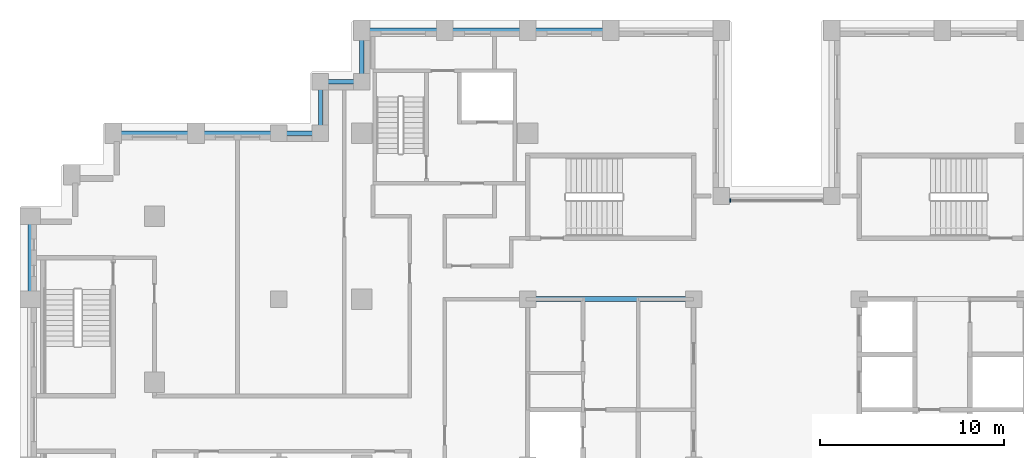
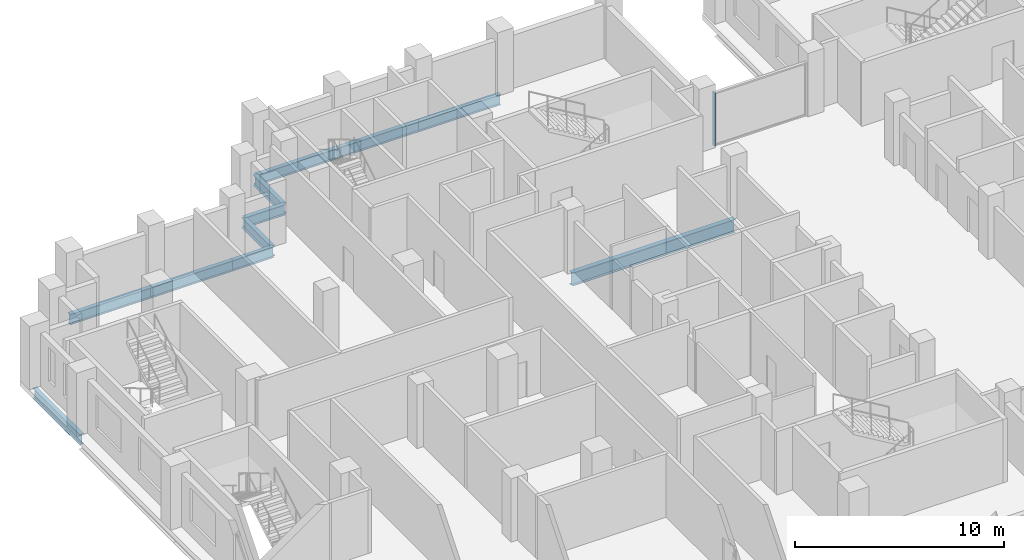
# One storey, part 3 of 16: 11 beams, 1 member, 1 element without a shape of its own.
"""IFC4 building model written with IfcOpenShell, lengths in metres."""

from ifc_helpers import new_model, si_unit, direction, frame, origin, origin_2d, place, context, subcontext, project, spatial, rectangle, i_section, extrude, material, layer, layer_set, material_profile, profile_set, type_object, element, aggregate, save


model = new_model("IFC4")

# Units and contexts
model_context = context("Model", 3, precision=1e-05, world=origin(), true_north=direction((0.0, 1.0)))
body_context = subcontext(model_context, "Body", "Model", "MODEL_VIEW")
ifc_project = project(units=[si_unit("LENGTHUNIT", "METRE"), si_unit("AREAUNIT", "SQUARE_METRE"), si_unit("VOLUMEUNIT", "CUBIC_METRE"), si_unit("PLANEANGLEUNIT", "RADIAN"), si_unit("MASSUNIT", "GRAM", prefix="KILO")], contexts=[model_context])

# Site, building, storey
site_placement = place(None, origin())
site = spatial("IfcSite", under=ifc_project, at=site_placement, CompositionType="ELEMENT")
building_placement = place(site_placement, origin())
building = spatial("IfcBuilding", under=site, at=building_placement, Name="Corbelhall Arena Tower", CompositionType="ELEMENT")
storey_placement = place(building_placement, frame((0.0, 0.0, 154.0)))
storey = spatial("IfcBuildingStorey", under=building, at=storey_placement, Name="L30", CompositionType="ELEMENT", Elevation=154.0)

# Curtain wall, member
ifc_material_1 = material(Name="Aluminium black anodised", Category="aluminium")
ifc_layer = layer(ifc_material_1, 0.199951171875)
ifc_layer_set = layer_set([ifc_layer], Name="EV-CW1 Slot back wall")
curtain_wall_type = type_object("IfcCurtainWallType", Name="EV-CW1 Slot back wall", PredefinedType="NOTDEFINED", material=ifc_layer_set)
curtain_wall_placement = place(storey_placement, origin())
curtain_wall = element("IfcCurtainWall", 1, at=curtain_wall_placement, inside=storey, type_object=curtain_wall_type, Name="Curtain wall CW1", PredefinedType="NOTDEFINED")
ifc_material_profile_1 = material_profile(ifc_material_1, rectangle(XDim=0.199951171875, YDim=0.074951171875, at=origin_2d()))
ifc_profile_set_1 = profile_set([ifc_material_profile_1], Name="Aluminium black anodised")
member_type = type_object("IfcMemberType", Name="EV-CW1-MULLION", PredefinedType="MULLION", material=ifc_profile_set_1)
member_placement = place(storey_placement, frame((-2.512451171875, 14.35009765625, 0.0), z_axis=(0.0, 0.0, 1.0), x_axis=(0.0, -1.0, 0.0)))
member = element("IfcMember", 2, at=member_placement, type_object=member_type, Name="CW1 mullion 2", PredefinedType="MULLION", context=body_context, shape_type="SweptSolid", body=[
    extrude(rectangle(XDim=0.199951171875, YDim=0.074951171875, at=origin_2d()), origin(), (0.0, 0.0, 1.0), 3.10009765625),
])
aggregate(curtain_wall, [member])

# Beams
ifc_material_2 = material(Name="Steel ASTM A992 Gr50", Category="steel")
ifc_material_profile_2 = material_profile(ifc_material_2, i_section(OverallWidth=0.2666015625, OverallDepth=0.761962890625, WebThickness=0.014404296875, FlangeThickness=0.021484375, at=origin_2d()))
ifc_profile_set_2 = profile_set([ifc_material_profile_2], Name="Steel ASTM A992 Gr50")
beam_type_1 = type_object("IfcBeamType", Name="ST-BEAM-W30x116", PredefinedType="BEAM", material=ifc_profile_set_2)
beam_1_placement = place(storey_placement, frame((-13.5, 9.0, -0.680908203125), z_axis=(1.0, 0.0, 0.0), x_axis=(0.0, 1.0, 0.0)))
element("IfcBeam", 3, at=beam_1_placement, inside=storey, type_object=beam_type_1, Name="Beam CEW 6", PredefinedType="BEAM", context=body_context, shape_type="SweptSolid", body=[
    extrude(i_section(OverallWidth=0.2666015625, OverallDepth=0.761962890625, WebThickness=0.014404296875, FlangeThickness=0.021484375, at=origin_2d()), origin(), (0.0, 0.0, 1.0), 9.0),
])
ifc_material_profile_3 = material_profile(ifc_material_2, i_section(OverallWidth=0.22900390625, OverallDepth=0.612060546875, WebThickness=0.011962890625, FlangeThickness=0.01953125, at=origin_2d()))
ifc_profile_set_3 = profile_set([ifc_material_profile_3], Name="Steel ASTM A992 Gr50")
beam_type_2 = type_object("IfcBeamType", Name="ST-SPANDREL-W24x84", PredefinedType="SPANDREL", material=ifc_profile_set_3)
for number, where, z_axis, x_axis, name in (
    (4, (-40.5, 9.0, -0.60595703125), (0.0, 1.0, 0.0), (-1.0, 0.0, 0.0), "Beam SP 2"),
    (5, (-31.5, 18.0, -0.60595703125), (1.0, 0.0, 0.0), (0.0, 1.0, 0.0), "Beam SP 5"),
    (6, (-36.0, 18.0, -0.60595703125), (1.0, 0.0, 0.0), (0.0, 1.0, 0.0), "Beam SP 6"),
    (7, (-13.5, 23.60009765625, -0.60595703125), (1.0, 0.0, 0.0), (0.0, 1.0, 0.0), "Beam SP 24"),
    (8, (-18.0, 23.60009765625, -0.60595703125), (1.0, 0.0, 0.0), (0.0, 1.0, 0.0), "Beam SP 25"),
    (9, (-22.5, 23.60009765625, -0.60595703125), (1.0, 0.0, 0.0), (0.0, 1.0, 0.0), "Beam SP 26"),
):
    element("IfcBeam", number, at=place(storey_placement, frame(where, z_axis=z_axis, x_axis=x_axis)), inside=storey, type_object=beam_type_2, Name=name, PredefinedType="SPANDREL", context=body_context, shape_type="SweptSolid", body=[
        extrude(i_section(OverallWidth=0.22900390625, OverallDepth=0.612060546875, WebThickness=0.011962890625, FlangeThickness=0.01953125, at=origin_2d()), origin(), (0.0, 0.0, 1.0), 4.5),
    ])
beam_2_placement = place(storey_placement, frame((-27.0, 18.0, -0.60595703125), z_axis=(1.0, 0.0, 0.0), x_axis=(0.0, 1.0, 0.0)))
element("IfcBeam", 10, at=beam_2_placement, inside=storey, type_object=beam_type_2, Name="Beam SP 37", PredefinedType="SPANDREL", context=body_context, shape_type="SweptSolid", body=[
    extrude(i_section(OverallWidth=0.22900390625, OverallDepth=0.612060546875, WebThickness=0.011962890625, FlangeThickness=0.01953125, at=origin_2d()), origin(), (0.0, 0.0, 1.0), 2.25),
])
beam_3_placement = place(storey_placement, frame((-22.5, 20.800048828125, -0.60595703125), z_axis=(0.0, 1.0, 0.0), x_axis=(-1.0, 0.0, 0.0)))
element("IfcBeam", 11, at=beam_3_placement, inside=storey, type_object=beam_type_2, Name="Beam SP 46", PredefinedType="SPANDREL", context=body_context, shape_type="SweptSolid", body=[
    extrude(i_section(OverallWidth=0.22900390625, OverallDepth=0.612060546875, WebThickness=0.011962890625, FlangeThickness=0.01953125, at=origin_2d()), origin(), (0.0, 0.0, 1.0), 2.800048828125),
])
beam_4_placement = place(storey_placement, frame((-24.75, 20.800048828125, -0.60595703125), z_axis=(1.0, 0.0, 0.0), x_axis=(0.0, 1.0, 0.0)))
element("IfcBeam", 12, at=beam_4_placement, inside=storey, type_object=beam_type_2, Name="Beam SP 47", PredefinedType="SPANDREL", context=body_context, shape_type="SweptSolid", body=[
    extrude(i_section(OverallWidth=0.22900390625, OverallDepth=0.612060546875, WebThickness=0.011962890625, FlangeThickness=0.01953125, at=origin_2d()), origin(), (0.0, 0.0, 1.0), 2.25),
])
beam_5_placement = place(storey_placement, frame((-24.75, 18.0, -0.60595703125), z_axis=(0.0, 1.0, 0.0), x_axis=(-1.0, 0.0, 0.0)))
element("IfcBeam", 13, at=beam_5_placement, inside=storey, type_object=beam_type_2, Name="Beam SP 48", PredefinedType="SPANDREL", context=body_context, shape_type="SweptSolid", body=[
    extrude(i_section(OverallWidth=0.22900390625, OverallDepth=0.612060546875, WebThickness=0.011962890625, FlangeThickness=0.01953125, at=origin_2d()), origin(), (0.0, 0.0, 1.0), 2.800048828125),
])

save(model, "model.ifc")
